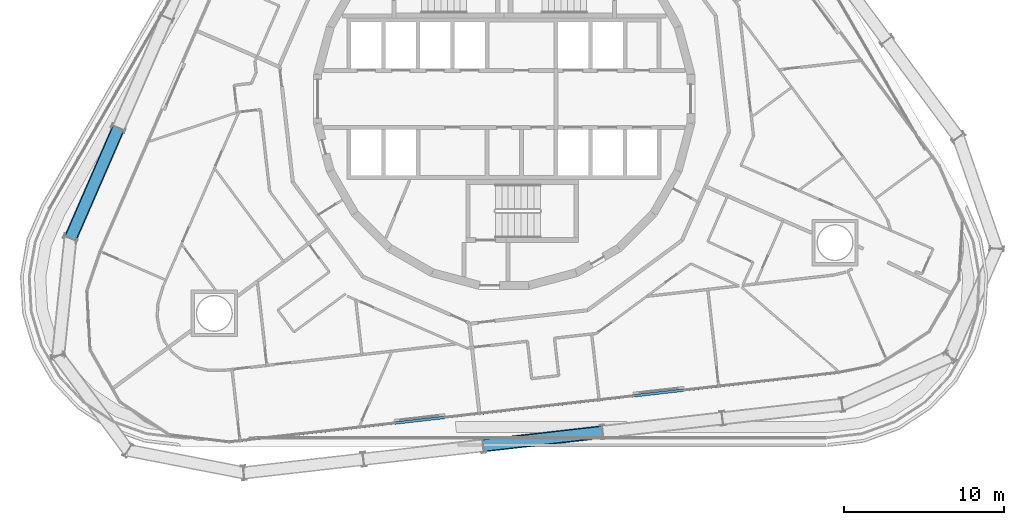
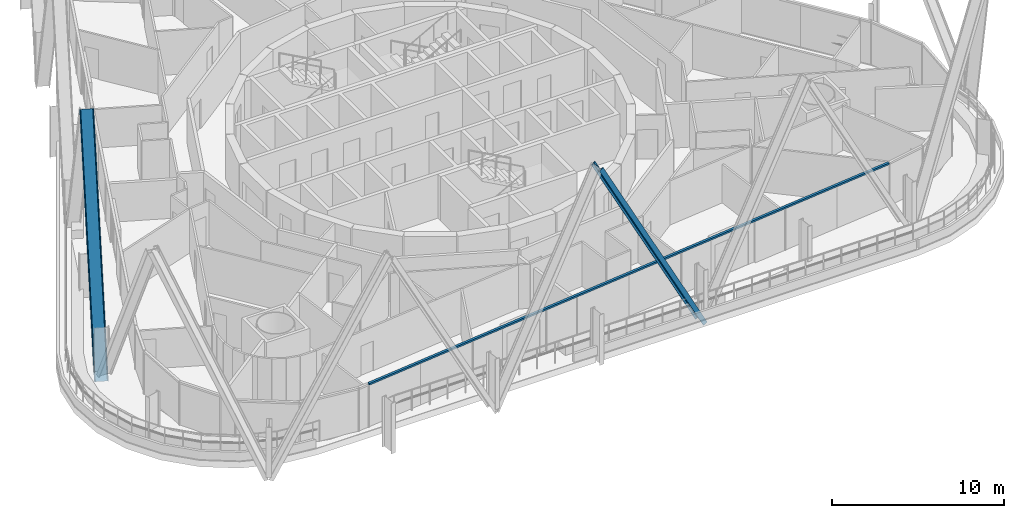
# One storey, part 4 of 32: 3 members, 1 element without a shape of its own.
"""IFC4 building model written with IfcOpenShell, lengths in metres."""

import ifcopenshell
import ifcopenshell.guid

model = None  # the IFC model being written
_history = None  # IfcOwnerHistory: only IFC2X3 demands one
_inside = {}  # id of a spatial element -> (the spatial element, [elements in it])
_under = {}  # id of a project, library or spatial element -> (it, [spatial elements below it])
_declared = {}  # id of a project -> (the project, [libraries it declares])
_typed = {}  # id of a type object -> (the type object, [elements of that type])
_made_of = {}  # id of a material, layer set ... -> (it, [elements and type objects made of it])


def new_model(schema):
    """Start an empty IFC model of exactly this schema.

    Asked for "IFC4X3", IfcOpenShell would pick the latest addendum, in which some entities
    have other attributes; the version numbers below select the first issue.
    IFC2X3 requires an IfcOwnerHistory on every rooted entity: one is made here for all.
    """
    global model, _history
    if schema == "IFC4X3":
        model = ifcopenshell.file(schema_version=(4, 3, 0, 0))
    else:
        model = ifcopenshell.file(schema=schema)
    _inside.clear()
    _under.clear()
    _declared.clear()
    _typed.clear()
    _made_of.clear()
    _history = None
    if model.schema == "IFC2X3":
        org = make("IfcOrganization", Name="unknown")
        user = make(
            "IfcPersonAndOrganization",
            ThePerson=make("IfcPerson", FamilyName="unknown"),
            TheOrganization=org,
        )
        app = make(
            "IfcApplication",
            ApplicationDeveloper=org,
            Version="unknown",
            ApplicationFullName="unknown",
            ApplicationIdentifier="unknown",
        )
        _history = make(
            "IfcOwnerHistory",
            OwningUser=user,
            OwningApplication=app,
            ChangeAction="ADDED",
            CreationDate=0,
        )
    return model


def make(cls, **values):
    """One entity of the class cls with the attributes given. An attribute that is None is left unset."""
    return model.create_entity(
        cls, **{name: value for name, value in values.items() if value is not None}
    )


def rooted(cls, **values):
    """An entity with a GlobalId (a new one), such as an element, a storey or a relation."""
    return make(cls, GlobalId=ifcopenshell.guid.new(), OwnerHistory=_history, **values)


def si_unit(unit_type, name, prefix=None):
    """IfcSIUnit, for example si_unit("LENGTHUNIT", "METRE", prefix="MILLI")."""
    return make("IfcSIUnit", UnitType=unit_type, Prefix=prefix, Name=name)


def assignment(units):
    """IfcUnitAssignment: the units of a project."""
    return None if units is None else make("IfcUnitAssignment", Units=units)


def point(xyz):
    """IfcCartesianPoint."""
    return None if xyz is None else make("IfcCartesianPoint", Coordinates=xyz)


def direction(xyz):
    """IfcDirection."""
    return None if xyz is None else make("IfcDirection", DirectionRatios=xyz)


def frame(location, z_axis=None, x_axis=None):
    """IfcAxis2Placement3D, a coordinate frame: its origin and axes. An axis left out is left unset."""
    return make(
        "IfcAxis2Placement3D",
        Location=point(location),
        Axis=direction(z_axis),
        RefDirection=direction(x_axis),
    )


def frame_2d(location, x_axis=None):
    """IfcAxis2Placement2D, a coordinate frame in the plane: its origin and x axis."""
    return make(
        "IfcAxis2Placement2D", Location=point(location), RefDirection=direction(x_axis)
    )


def origin():
    """The frame at (0, 0, 0) with its axes left unset."""
    return frame((0.0, 0.0, 0.0))


def origin_2d():
    """The frame at (0, 0) in the plane with its x axis left unset."""
    return frame_2d((0.0, 0.0))


def place(relative_to, where):
    """IfcLocalPlacement: puts the frame where relative to a parent placement (None: the world)."""
    return make(
        "IfcLocalPlacement", PlacementRelTo=relative_to, RelativePlacement=where
    )


def context(
    kind, dimensions, precision=None, world=None, true_north=None, identifier=None
):
    """IfcGeometricRepresentationContext, for example the 3D "Model" context."""
    return make(
        "IfcGeometricRepresentationContext",
        ContextIdentifier=identifier,
        ContextType=kind,
        CoordinateSpaceDimension=dimensions,
        Precision=precision,
        WorldCoordinateSystem=world,
        TrueNorth=true_north,
    )


def subcontext(parent, identifier, kind, view, scale=None):
    """IfcGeometricRepresentationSubContext, for example "Body" below "Model"."""
    return make(
        "IfcGeometricRepresentationSubContext",
        ContextIdentifier=identifier,
        ContextType=kind,
        ParentContext=parent,
        TargetScale=scale,
        TargetView=view,
    )


def project(units=None, contexts=None):
    """IfcProject with its units and contexts."""
    return rooted(
        "IfcProject",
        Name="project",
        RepresentationContexts=contexts,
        UnitsInContext=assignment(units),
    )


def spatial(cls, under=None, at=None, **own):
    """A site, building, storey or space (cls), placed at a placement, below another one or the project."""
    s = rooted(cls, ObjectPlacement=at, **own)
    if under is not None:
        _under.setdefault(under.id(), (under, []))[1].append(s)
    return s


def profile(cls, at=None, kind="AREA", **sizes):
    """A parametric profile (cls). Its sizes go by their IFC names, for example OverallWidth=200.0."""
    return make(cls, ProfileType=kind, Position=at, **sizes)


def rectangle(**sizes):
    """IfcRectangleProfileDef."""
    return profile("IfcRectangleProfileDef", **sizes)


def i_section(**sizes):
    """IfcIShapeProfileDef."""
    return profile("IfcIShapeProfileDef", **sizes)


def extrude(swept, where, along, depth):
    """IfcExtrudedAreaSolid: the profile swept, set in the frame where, extruded along a direction by depth."""
    return make(
        "IfcExtrudedAreaSolid",
        SweptArea=swept,
        Position=where,
        ExtrudedDirection=direction(along),
        Depth=depth,
    )


def shape(context_of_items, identifier, shape_type, items):
    """IfcShapeRepresentation: the items that make up one representation, for example the "Body"."""
    return make(
        "IfcShapeRepresentation",
        ContextOfItems=context_of_items,
        RepresentationIdentifier=identifier,
        RepresentationType=shape_type,
        Items=items,
    )


def material(Name=None, Category=None):
    """IfcMaterial."""
    return make("IfcMaterial", Name=Name, Category=Category)


def layer(
    of_material, thickness, ventilated=None, Name=None, Category=None, Priority=None
):
    """IfcMaterialLayer: one layer of a wall or slab, of a material (None: an air gap)."""
    return make(
        "IfcMaterialLayer",
        Material=of_material,
        LayerThickness=thickness,
        IsVentilated=ventilated,
        Name=Name,
        Category=Category,
        Priority=Priority,
    )


def layer_set(layers, Name=None):
    """IfcMaterialLayerSet."""
    return make("IfcMaterialLayerSet", MaterialLayers=layers, LayerSetName=Name)


def material_profile(
    of_material, cross_section, Name=None, Category=None, Priority=None
):
    """IfcMaterialProfile: a cross section and its material."""
    return make(
        "IfcMaterialProfile",
        Name=Name,
        Material=of_material,
        Profile=cross_section,
        Priority=Priority,
        Category=Category,
    )


def profile_set(profiles, Name=None, composite=None):
    """IfcMaterialProfileSet."""
    return make(
        "IfcMaterialProfileSet",
        Name=Name,
        MaterialProfiles=profiles,
        CompositeProfile=composite,
    )


def made_of(thing, what):
    """Note that an element or type object is made of a material, layer set ...; save() writes the relation."""
    if what is not None:
        _made_of.setdefault(what.id(), (what, []))[1].append(thing)
    return thing


def type_object(cls, material=None, **own):
    """A type object (cls), such as IfcWallType, which elements share."""
    return made_of(rooted(cls, **own), material)


def element(
    cls,
    number,
    at=None,
    inside=None,
    cuts=None,
    type_object=None,
    material=None,
    context=None,
    identifier="Body",
    shape_type=None,
    held_by="IfcProductDefinitionShape",
    body=None,
    shapes=None,
    **own,
):
    """One element of the class cls, such as IfcWall. Its Tag is "e" and its number.

    at: its placement. inside: the storey or other place that contains it. cuts: it is an
    opening in that element (IfcRelVoidsElement). A single representation is given by context,
    identifier, shape_type and body (its items); several are given by shapes. held_by: the class
    of the entity that holds the representations. save() writes the other relations.
    """
    e = rooted(cls, Tag="e%d" % number, ObjectPlacement=at, **own)
    if body is not None:
        shapes = [shape(context, identifier, shape_type, body)]
    if shapes is not None:
        e.Representation = make(held_by, Representations=shapes)
    if inside is not None:
        _inside.setdefault(inside.id(), (inside, []))[1].append(e)
    if cuts is not None:
        rooted(
            "IfcRelVoidsElement", RelatingBuildingElement=cuts, RelatedOpeningElement=e
        )
    if type_object is not None:
        _typed.setdefault(type_object.id(), (type_object, []))[1].append(e)
    return made_of(e, material)


def aggregate(whole, parts):
    """IfcRelAggregates: a whole, such as a stair, and the parts it consists of."""
    return rooted("IfcRelAggregates", RelatingObject=whole, RelatedObjects=parts)


def save(model, path):
    """Write the relations noted so far, then the file.

    IfcRelAggregates (storeys below a building ...), IfcRelContainedInSpatialStructure (elements
    in a storey), IfcRelDefinesByType, IfcRelAssociatesMaterial and IfcRelDeclares: one each for
    every whole, place, type object, material and project.
    """
    for whole, parts in _under.values():
        aggregate(whole, parts)
    for where, things in _inside.values():
        rooted(
            "IfcRelContainedInSpatialStructure",
            RelatedElements=things,
            RelatingStructure=where,
        )
    for kind, things in _typed.values():
        rooted("IfcRelDefinesByType", RelatedObjects=things, RelatingType=kind)
    for what, things in _made_of.values():
        rooted("IfcRelAssociatesMaterial", RelatedObjects=things, RelatingMaterial=what)
    for by, libraries in _declared.values():
        rooted("IfcRelDeclares", RelatingContext=by, RelatedDefinitions=libraries)
    model.write(path)


model = new_model("IFC4")

# Units and contexts
model_context = context("Model", 3, precision=1e-05, world=origin(), true_north=direction((0.0, 1.0)))
body_context = subcontext(model_context, "Body", "Model", "MODEL_VIEW")
ifc_project = project(units=[si_unit("LENGTHUNIT", "METRE"), si_unit("AREAUNIT", "SQUARE_METRE"), si_unit("VOLUMEUNIT", "CUBIC_METRE"), si_unit("PLANEANGLEUNIT", "RADIAN"), si_unit("MASSUNIT", "GRAM", prefix="KILO")], contexts=[model_context])

# Site, building, storey
site_placement = place(None, origin())
site = spatial("IfcSite", under=ifc_project, at=site_placement, CompositionType="ELEMENT")
building_placement = place(site_placement, origin())
building = spatial("IfcBuilding", under=site, at=building_placement, Name="Spindle Arch Residences", CompositionType="ELEMENT")
storey_placement = place(building_placement, frame((0.0, 0.0, 76.699951171875)))
storey = spatial("IfcBuildingStorey", under=building, at=storey_placement, Name="L17", CompositionType="ELEMENT", Elevation=76.699951171875)

# Curtain wall, member
ifc_material_1 = material(Name="Aluminium bronze unitised frame with tinted glass", Category="aluminium")
ifc_layer = layer(ifc_material_1, 0.159912109375)
ifc_layer_set = layer_set([ifc_layer], Name="CW-C typical residential unitised wall")
curtain_wall_type = type_object("IfcCurtainWallType", Name="CW-C typical residential unitised wall", PredefinedType="NOTDEFINED", material=ifc_layer_set)
curtain_wall_placement = place(storey_placement, origin())
curtain_wall = element("IfcCurtainWall", 1, at=curtain_wall_placement, inside=storey, type_object=curtain_wall_type, Name="CW-C L17 run 6", PredefinedType="NOTDEFINED")
ifc_material_2 = material(Name="Aluminium bronze anodised transom", Category="aluminium")
ifc_material_profile_1 = material_profile(ifc_material_2, rectangle(XDim=0.159912109375, YDim=0.1201171875, at=origin_2d()), Name="TR 120x160")
ifc_profile_set_1 = profile_set([ifc_material_profile_1], Name="Aluminium bronze anodised transom")
member_type_1 = type_object("IfcMemberType", Name="Bronze transom 120x160", PredefinedType="USERDEFINED", material=ifc_profile_set_1)
member_placement = place(storey_placement, frame((-16.457275390625, -21.337646484375, 3.06005859375), z_axis=(0.993571693336, 0.1132046386, 0.0), x_axis=(-0.1132046386, 0.993571693336, 0.0)))
member = element("IfcMember", 2, at=member_placement, type_object=member_type_1, Name="CW-C transom 00", ObjectType="TRANSOM", PredefinedType="USERDEFINED", context=body_context, shape_type="SweptSolid", body=[
    extrude(rectangle(XDim=0.159912109375, YDim=0.1201171875, at=origin_2d()), origin(), (0.0, 0.0, 1.0), 37.533935546875),
])
aggregate(curtain_wall, [member])

# Members
ifc_material_3 = material(Name="Steel S460ML, intumescent coating R 240", Category="steel")
ifc_material_profile_2 = material_profile(ifc_material_3, i_section(OverallWidth=0.302978515625, OverallDepth=0.81396484375, WebThickness=0.02099609375, FlangeThickness=0.0400390625, FilletRadius=0.030029296875, at=origin_2d()), Name="HEM 800")
ifc_profile_set_2 = profile_set([ifc_material_profile_2], Name="Steel S460ML, intumescent coating R 240")
member_type_2 = type_object("IfcMemberType", Name="Diagrid diagonal HEM 800", PredefinedType="BRACE", material=ifc_profile_set_2)
for number, where, z_axis, x_axis, name in (
    (3, (-27.081298828125, -8.7216796875, -0.699951171875), (0.187929397713, 0.432222311043, 0.881967355015), (-0.351673885572, -0.808821298878, 0.471310497112), "Diagrid diagonal 2.1.18"),
    (4, (6.153076171875, -20.794677734375, -0.699951171875), (-0.46827861339, -0.053348777616, 0.881968847618), (0.876300441362, 0.099832783378, 0.47130770398), "Diagrid diagonal 2.1.24"),
):
    element("IfcMember", number, at=place(storey_placement, frame(where, z_axis=z_axis, x_axis=x_axis)), inside=storey, type_object=member_type_2, Name=name, PredefinedType="BRACE", context=body_context, shape_type="SweptSolid", body=[
        extrude(i_section(OverallWidth=0.302978515625, OverallDepth=0.81396484375, WebThickness=0.02099609375, FlangeThickness=0.0400390625, FilletRadius=0.030029296875, at=origin_2d()), origin(), (0.0, 0.0, 1.0), 15.953125),
    ])

save(model, "model.ifc")
